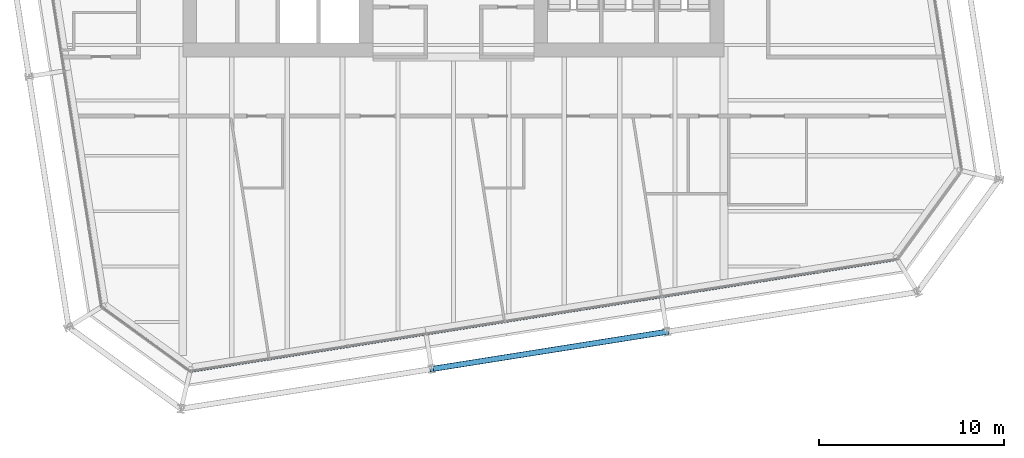
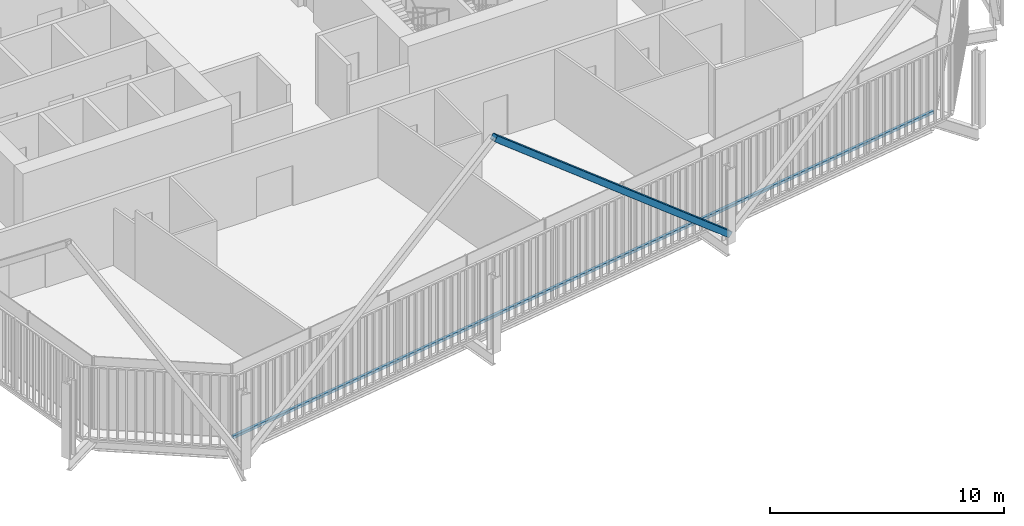
# One storey, part 7 of 22: 2 members, 1 element without a shape of its own.
"""IFC4 building model written with IfcOpenShell, lengths in metres."""

from ifc_helpers import new_model, si_unit, direction, frame, origin, origin_2d, place, context, subcontext, project, spatial, rectangle, hollow_rectangle, extrude, material, layer, layer_set, material_profile, profile_set, type_object, element, aggregate, save


model = new_model("IFC4")

# Units and contexts
model_context = context("Model", 3, precision=1e-05, world=origin(), true_north=direction((0.0, 1.0)))
body_context = subcontext(model_context, "Body", "Model", "MODEL_VIEW")
ifc_project = project(units=[si_unit("LENGTHUNIT", "METRE"), si_unit("AREAUNIT", "SQUARE_METRE"), si_unit("VOLUMEUNIT", "CUBIC_METRE"), si_unit("PLANEANGLEUNIT", "RADIAN"), si_unit("MASSUNIT", "GRAM", prefix="KILO")], contexts=[model_context])

# Site, building, storey
site_placement = place(None, origin())
site = spatial("IfcSite", under=ifc_project, at=site_placement, CompositionType="ELEMENT")
building_placement = place(site_placement, origin())
building = spatial("IfcBuilding", under=site, at=building_placement, Name="Millrace Tower", CompositionType="ELEMENT")
storey_placement = place(building_placement, frame((0.0, 0.0, 168.5)))
storey = spatial("IfcBuildingStorey", under=building, at=storey_placement, Name="L38", CompositionType="ELEMENT", Elevation=168.5)

# Curtain wall, member
ifc_material_1 = material(Name="Aluminium and glass", Category="aluminium")
ifc_layer = layer(ifc_material_1, 0.14990234375)
ifc_layer_set = layer_set([ifc_layer], Name="Aluminium and glass")
curtain_wall_type = type_object("IfcCurtainWallType", Name="CW-1 office vision curtain wall", PredefinedType="NOTDEFINED", material=ifc_layer_set)
curtain_wall_placement = place(storey_placement, origin())
curtain_wall = element("IfcCurtainWall", 1, at=curtain_wall_placement, inside=storey, type_object=curtain_wall_type, Name="Curtain wall C-F02 L38", PredefinedType="NOTDEFINED")
ifc_material_2 = material(Name="Aluminium", Category="aluminium")
ifc_material_profile_1 = material_profile(ifc_material_2, rectangle(XDim=0.14990234375, YDim=0.139892578125, at=origin_2d()))
ifc_profile_set_1 = profile_set([ifc_material_profile_1], Name="Aluminium")
member_type_1 = type_object("IfcMemberType", Name="CW-1 office vision curtain wall transom", PredefinedType="USERDEFINED", material=ifc_profile_set_1)
member_1_placement = place(storey_placement, frame((-14.125, -26.64599609375, 0.070068359375), z_axis=(0.987688350509, 0.156434402447, 0.0), x_axis=(-0.156434402447, 0.987688350509, 0.0)))
member_1 = element("IfcMember", 2, at=member_1_placement, type_object=member_type_1, Name="CW1 transom C-F02.1", ObjectType="TRANSOM", PredefinedType="USERDEFINED", context=body_context, shape_type="SweptSolid", body=[
    extrude(rectangle(XDim=0.14990234375, YDim=0.139892578125, at=origin_2d()), origin(), (0.0, 0.0, 1.0), 38.499755859375),
])
aggregate(curtain_wall, [member_1])

# Member
ifc_material_3 = material(Name="Steel ASTM A500 Grade C", Category="steel")
ifc_material_profile_2 = material_profile(ifc_material_3, hollow_rectangle(XDim=0.3046875, YDim=0.3046875, WallThickness=0.0126953125, InnerFilletRadius=0.00634765625, OuterFilletRadius=0.01904296875, at=origin_2d()))
ifc_profile_set_2 = profile_set([ifc_material_profile_2], Name="Steel ASTM A500 Grade C")
member_type_2 = type_object("IfcMemberType", Name="Exoskeleton brace HSS12x12x1/2", PredefinedType="BRACE", material=ifc_profile_set_2)
member_2_placement = place(storey_placement, frame((11.5595703125, -24.527099609375, 0.39990234375), z_axis=(-0.760198979428, -0.120409388621, 0.638434875934), x_axis=(0.156441687909, -0.987687196578, 0.0)))
element("IfcMember", 3, at=member_2_placement, inside=storey, type_object=member_type_2, Name="BRC-C-L38-03", PredefinedType="BRACE", context=body_context, shape_type="SweptSolid", body=[
    extrude(hollow_rectangle(XDim=0.3046875, YDim=0.3046875, WallThickness=0.0126953125, InnerFilletRadius=0.00634765625, OuterFilletRadius=0.01904296875, at=origin_2d()), origin(), (0.0, 0.0, 1.0), 16.760009765625),
])

save(model, "model.ifc")
